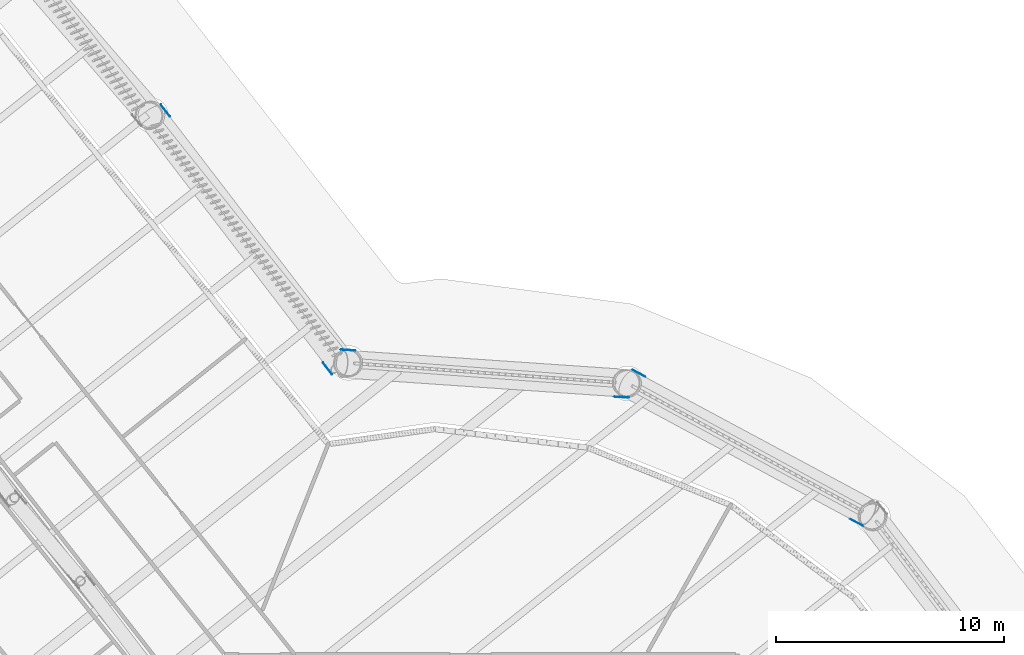
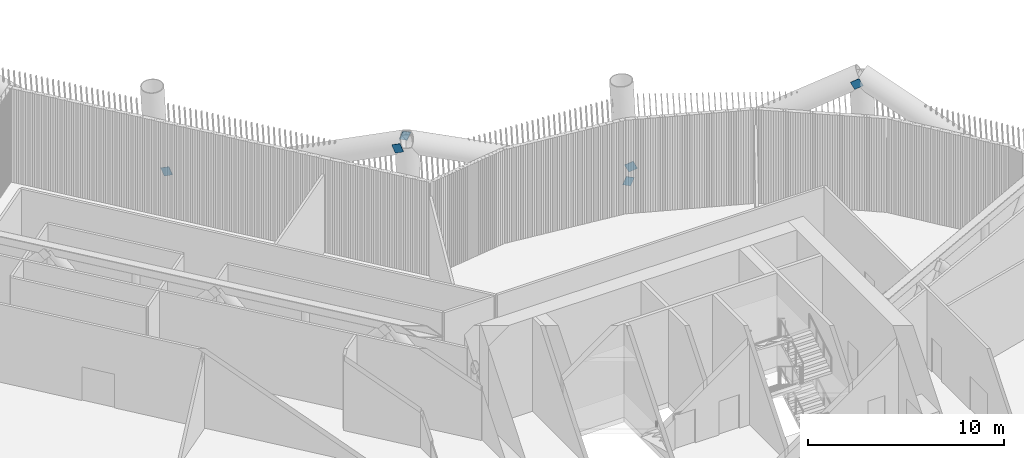
# One storey, part 28 of 48: 6 discrete accessories.
"""IFC4 building model written with IfcOpenShell, lengths in metres."""

from ifc_helpers import new_model, si_unit, direction, frame, origin, origin_2d, place, context, subcontext, project, spatial, rectangle, extrude, material, material_profile, profile_set, type_object, element, save


model = new_model("IFC4")

# Units and contexts
model_context = context("Model", 3, precision=1e-05, world=origin(), true_north=direction((0.0, 1.0)))
body_context = subcontext(model_context, "Body", "Model", "MODEL_VIEW")
ifc_project = project(units=[si_unit("LENGTHUNIT", "METRE"), si_unit("AREAUNIT", "SQUARE_METRE"), si_unit("VOLUMEUNIT", "CUBIC_METRE"), si_unit("PLANEANGLEUNIT", "RADIAN"), si_unit("MASSUNIT", "GRAM", prefix="KILO")], contexts=[model_context])

# Site, building, storey
site_placement = place(None, origin())
site = spatial("IfcSite", under=ifc_project, at=site_placement, CompositionType="ELEMENT")
building_placement = place(site_placement, origin())
building = spatial("IfcBuilding", under=site, at=building_placement, Name="Tarsis Ring Headquarters", CompositionType="ELEMENT")
storey_placement = place(building_placement, frame((0.0, 0.0, 34.0)))
storey = spatial("IfcBuildingStorey", under=building, at=storey_placement, Name="L06", CompositionType="ELEMENT", Elevation=34.0)

# Discrete accessories
ifc_material = material(Name="Structural steel S355", Category="steel")
ifc_material_profile = material_profile(ifc_material, rectangle(XDim=0.02490234375, YDim=0.5, at=origin_2d()), Name="PL 25x500")
ifc_profile_set = profile_set([ifc_material_profile], Name="Structural steel S355")
discrete_accessory_type = type_object("IfcDiscreteAccessoryType", Name="Gusset plate Belt truss 25", PredefinedType="BRACKET", material=ifc_profile_set)
for number, where, z_axis, x_axis, name in (
    (1, (8.482666015625, 28.418701171875, 0.0), (0.787063401961, -0.423315117556, 0.448704259555), (0.473676229867, 0.880699057147, 0.0), "Gusset plate GP4"),
    (2, (18.42236328125, 21.6669921875, 6.0), (-0.787411634262, 0.422751689567, -0.448624483501), (-0.473024573333, -0.881049234165, 0.0), "Gusset plate GP4"),
):
    element("IfcDiscreteAccessory", number, at=place(storey_placement, frame(where, z_axis=z_axis, x_axis=x_axis)), inside=storey, type_object=discrete_accessory_type, Name=name, PredefinedType="BRACKET", context=body_context, shape_type="SweptSolid", body=[
        extrude(rectangle(XDim=0.02490234375, YDim=0.5, at=origin_2d()), origin(), (0.0, 0.0, 1.0), 0.5),
    ])
discrete_accessory_placement = place(storey_placement, frame((8.14599609375, 27.25, 0.0), z_axis=(-0.900056677253, 0.061012518794, 0.431480532913), x_axis=(-0.067632207223, -0.997710320958, 0.0)))
element("IfcDiscreteAccessory", 3, at=discrete_accessory_placement, inside=storey, type_object=discrete_accessory_type, Name="Gusset plate GP4", PredefinedType="BRACKET", context=body_context, shape_type="SweptSolid", body=[
    extrude(rectangle(XDim=0.02490234375, YDim=0.5, at=origin_2d()), origin(), (0.0, 0.0, 1.0), 0.500244140625),
])
for number, where, z_axis, x_axis, name in (
    (4, (-4.286376953125, 29.3447265625, 6.0), (0.899963926908, -0.061039333078, -0.43167016353), (0.067668736034, 0.997707844092, 0.0), "Gusset plate GP4"),
    (5, (-12.20751953125, 40.011474609375, 0.0), (0.558103672412, -0.727048441139, 0.39990105661), (0.793237516026, 0.608912344404, 0.0), "Gusset plate GP4"),
    (6, (-4.822265625, 28.345458984375, 6.0), (-0.558103672412, 0.727048441139, -0.39990105661), (-0.793237516026, -0.608912344404, 0.0), "Gusset plate GP4"),
):
    element("IfcDiscreteAccessory", number, at=place(storey_placement, frame(where, z_axis=z_axis, x_axis=x_axis)), inside=storey, type_object=discrete_accessory_type, Name=name, PredefinedType="BRACKET", context=body_context, shape_type="SweptSolid", body=[
        extrude(rectangle(XDim=0.02490234375, YDim=0.5, at=origin_2d()), origin(), (0.0, 0.0, 1.0), 0.5),
    ])

save(model, "model.ifc")
